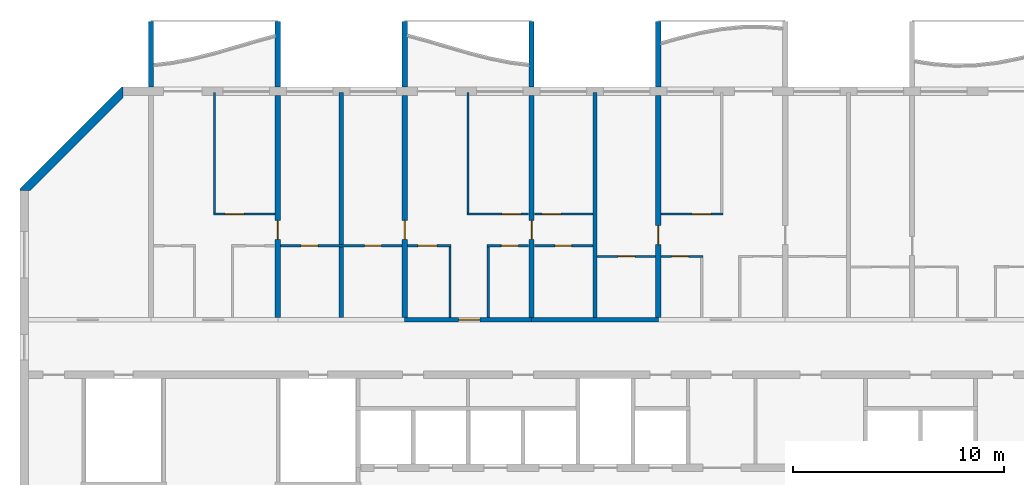
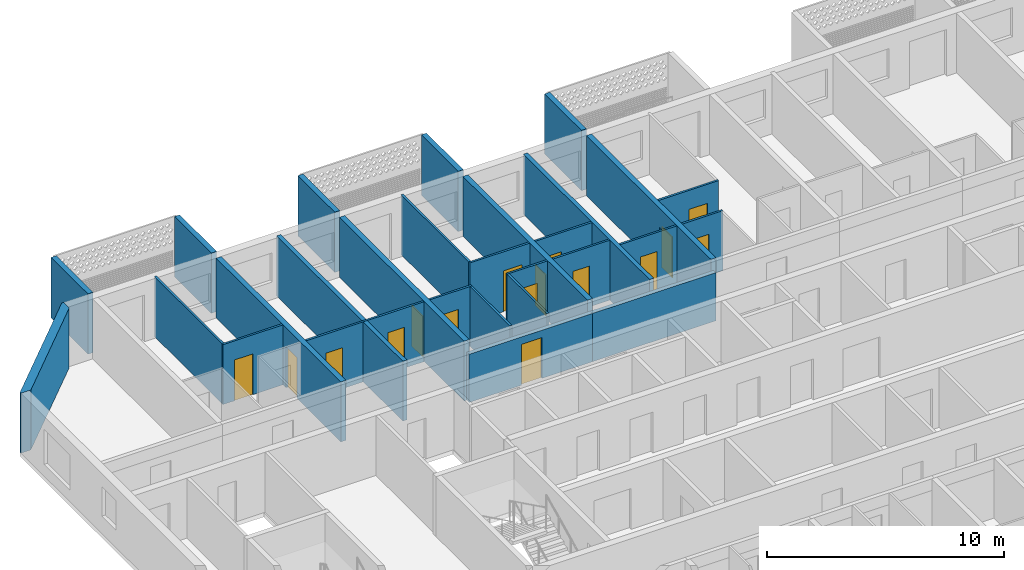
# One storey, part 8 of 26: 28 walls, 16 doors, 16 openings.
"""IFC4 building model written with IfcOpenShell, lengths in metres."""

from ifc_helpers import new_model, si_unit, direction, frame, frame_2d, origin, place, context, subcontext, project, spatial, polyline, rectangle, outline, extrude, source, transform, mapped, material, layer, layer_set, type_object, element, fill, save


model = new_model("IFC4")

# Units and contexts
model_context = context("Model", 3, precision=1e-05, world=origin(), true_north=direction((0.0, 1.0)))
body_context = subcontext(model_context, "Body", "Model", "MODEL_VIEW")
ifc_project = project(units=[si_unit("LENGTHUNIT", "METRE"), si_unit("AREAUNIT", "SQUARE_METRE"), si_unit("VOLUMEUNIT", "CUBIC_METRE"), si_unit("PLANEANGLEUNIT", "RADIAN"), si_unit("MASSUNIT", "GRAM", prefix="KILO")], contexts=[model_context])

# Site, building, storey
site_placement = place(None, origin())
site = spatial("IfcSite", under=ifc_project, at=site_placement, CompositionType="ELEMENT")
building_placement = place(site_placement, origin())
building = spatial("IfcBuilding", under=site, at=building_placement, Name="Poui Terraces", CompositionType="ELEMENT")
storey_placement = place(building_placement, frame((0.0, 0.0, 247.800048828125)))
storey = spatial("IfcBuildingStorey", under=building, at=storey_placement, Name="L69", CompositionType="ELEMENT", Elevation=247.800048828125)

# Wall, opening, door
ifc_material_1 = material(Name="Concrete 50 MPa", Category="concrete")
ifc_layer_1 = layer(ifc_material_1, 0.199951171875)
ifc_layer_set_1 = layer_set([ifc_layer_1], Name="Concrete 50 MPa")
wall_type_1 = type_object("IfcWallType", Name="CORRIDOR WALL 200 50MPa", PredefinedType="SHEAR", material=ifc_layer_set_1)
wall_1_placement = place(storey_placement, frame((36.0, 30.39990234375, 0.0), z_axis=(0.0, 0.0, 1.0), x_axis=(1.0, 0.0, 0.0)))
wall_1 = element("IfcWall", 1, at=wall_1_placement, inside=storey, type_object=wall_type_1, Name="CORRIDOR WALL LINE E BAY 4", PredefinedType="SHEAR", context=body_context, shape_type="SweptSolid", body=[
    extrude(rectangle(XDim=6.0, YDim=0.199951171875, at=frame_2d((3.0, 0.0))), origin(), (0.0, 0.0, 1.0), 2.47998046875),
])
opening_1_placement = place(wall_1_placement, frame((2.550048828125, 0.0, 0.0)))
opening_1 = element("IfcOpeningElement", 2, at=opening_1_placement, cuts=wall_1, Name="Opening FD30S", PredefinedType="OPENING", context=body_context, shape_type="SweptSolid", body=[
    extrude(rectangle(XDim=1.0, YDim=2.10009765625, at=frame_2d((0.5, 1.050048828125))), frame((0.0, 0.10986328125, 0.0), z_axis=(0.0, -1.0, 0.0), x_axis=(1.0, 0.0, 0.0)), (0.0, 0.0, 1.0), 0.219970703125),
])
ifc_material_2 = material(Name="Steel fire door", Category="steel")
door_type_1 = type_object("IfcDoorType", Name="FLAT ENTRANCE DOOR 1000 X 2100", OperationType="NOTDEFINED", PredefinedType="DOOR", material=ifc_material_2)
door_1_placement = place(opening_1_placement, origin())
door_1 = element("IfcDoor", 3, at=door_1_placement, inside=storey, type_object=door_type_1, Name="FLAT ENTRANCE DOOR 037", OperationType="SINGLE_SWING_RIGHT", OverallHeight=2.10009765625, OverallWidth=1.0, PredefinedType="DOOR", context=body_context, shape_type="SweptSolid", body=[
    extrude(rectangle(XDim=1.0, YDim=2.10009765625, at=frame_2d((0.5, 1.050048828125))), frame((0.0, 0.02490234375, 0.0), z_axis=(0.0, -1.0, 0.0), x_axis=(1.0, 0.0, 0.0)), (0.0, 0.0, 1.0), 0.050048828125),
])
fill(opening_1, door_1)

# Wall
wall_2_placement = place(storey_placement, frame((42.0, 30.39990234375, 0.0), z_axis=(0.0, 0.0, 1.0), x_axis=(1.0, 0.0, 0.0)))
element("IfcWall", 4, at=wall_2_placement, inside=storey, type_object=wall_type_1, Name="CORRIDOR WALL LINE E BAY 5", PredefinedType="SHEAR", context=body_context, shape_type="SweptSolid", body=[
    extrude(rectangle(XDim=6.0, YDim=0.199951171875, at=frame_2d((3.0, 0.0))), origin(), (0.0, 0.0, 1.0), 2.47998046875),
])

# Wall, opening, door
ifc_layer_2 = layer(ifc_material_1, 0.25)
ifc_layer_set_2 = layer_set([ifc_layer_2], Name="Concrete 50 MPa")
wall_type_2 = type_object("IfcWallType", Name="CROSS WALL 250 50MPa", PredefinedType="SHEAR", material=ifc_layer_set_2)
wall_3_placement = place(storey_placement, frame((30.0, 30.5, 0.0), z_axis=(0.0, 0.0, 1.0), x_axis=(0.0, 1.0, 0.0)))
wall_3 = element("IfcWall", 5, at=wall_3_placement, inside=storey, type_object=wall_type_2, Name="CROSS WALL LINE 6 NORTH", PredefinedType="SHEAR", context=body_context, shape_type="SweptSolid", body=[
    extrude(rectangle(XDim=10.5, YDim=0.25, at=frame_2d((5.25, 0.0))), origin(), (0.0, 0.0, 1.0), 3.079833984375),
])
opening_2_placement = place(wall_3_placement, frame((3.699951171875, 0.0, 0.0)))
opening_2 = element("IfcOpeningElement", 6, at=opening_2_placement, cuts=wall_3, Name="Opening D90", PredefinedType="OPENING", context=body_context, shape_type="SweptSolid", body=[
    extrude(rectangle(XDim=0.89990234375, YDim=2.10009765625, at=frame_2d((0.449951171875, 1.050048828125))), frame((0.0, 0.135009765625, 0.0), z_axis=(0.0, -1.0, 0.0), x_axis=(1.0, 0.0, 0.0)), (0.0, 0.0, 1.0), 0.27001953125),
])
ifc_material_3 = material(Name="Solid core timber door", Category="wood")
door_type_2 = type_object("IfcDoorType", Name="INTERNAL DOOR 900 X 2100", OperationType="NOTDEFINED", PredefinedType="DOOR", material=ifc_material_3)
door_2_placement = place(opening_2_placement, frame((0.89990234375, 0.0, 0.0), z_axis=(0.0, 0.0, 1.0), x_axis=(-1.0, 0.0, 0.0)))
door_2 = element("IfcDoor", 7, at=door_2_placement, inside=storey, type_object=door_type_2, Name="INTERNAL DOOR 031", OperationType="SINGLE_SWING_RIGHT", OverallHeight=2.10009765625, OverallWidth=0.89990234375, PredefinedType="DOOR", context=body_context, shape_type="SweptSolid", body=[
    extrude(rectangle(XDim=0.89990234375, YDim=2.10009765625, at=frame_2d((0.449951171875, 1.050048828125))), frame((0.0, 0.02490234375, 0.0), z_axis=(0.0, -1.0, 0.0), x_axis=(1.0, 0.0, 0.0)), (0.0, 0.0, 1.0), 0.050048828125),
])
fill(opening_2, door_2)

wall_4_placement = place(storey_placement, frame((36.0, 30.5, 0.0), z_axis=(0.0, 0.0, 1.0), x_axis=(0.0, 1.0, 0.0)))
wall_4 = element("IfcWall", 8, at=wall_4_placement, inside=storey, type_object=wall_type_2, Name="CROSS WALL LINE 7 NORTH", PredefinedType="SHEAR", context=body_context, shape_type="SweptSolid", body=[
    extrude(rectangle(XDim=10.5, YDim=0.25, at=frame_2d((5.25, 0.0))), origin(), (0.0, 0.0, 1.0), 3.079833984375),
])
opening_3_placement = place(wall_4_placement, frame((3.699951171875, 0.0, 0.0)))
opening_3 = element("IfcOpeningElement", 9, at=opening_3_placement, cuts=wall_4, Name="Opening D90", PredefinedType="OPENING", context=body_context, shape_type="SweptSolid", body=[
    extrude(rectangle(XDim=0.89990234375, YDim=2.10009765625, at=frame_2d((0.449951171875, 1.050048828125))), frame((0.0, 0.135009765625, 0.0), z_axis=(0.0, -1.0, 0.0), x_axis=(1.0, 0.0, 0.0)), (0.0, 0.0, 1.0), 0.27001953125),
])
door_3_placement = place(opening_3_placement, origin())
door_3 = element("IfcDoor", 10, at=door_3_placement, inside=storey, type_object=door_type_2, Name="INTERNAL DOOR 035", OperationType="SINGLE_SWING_LEFT", OverallHeight=2.10009765625, OverallWidth=0.89990234375, PredefinedType="DOOR", context=body_context, shape_type="SweptSolid", body=[
    extrude(rectangle(XDim=0.89990234375, YDim=2.10009765625, at=frame_2d((0.449951171875, 1.050048828125))), frame((0.0, 0.02490234375, 0.0), z_axis=(0.0, -1.0, 0.0), x_axis=(1.0, 0.0, 0.0)), (0.0, 0.0, 1.0), 0.050048828125),
])
fill(opening_3, door_3)

wall_5_placement = place(storey_placement, frame((42.0, 30.5, 0.0), z_axis=(0.0, 0.0, 1.0), x_axis=(0.0, 1.0, 0.0)))
wall_5 = element("IfcWall", 11, at=wall_5_placement, inside=storey, type_object=wall_type_2, Name="CROSS WALL LINE 8 NORTH", PredefinedType="SHEAR", context=body_context, shape_type="SweptSolid", body=[
    extrude(rectangle(XDim=10.5, YDim=0.25, at=frame_2d((5.25, 0.0))), origin(), (0.0, 0.0, 1.0), 3.079833984375),
])
opening_4_placement = place(wall_5_placement, frame((3.699951171875, 0.0, 0.0)))
opening_4 = element("IfcOpeningElement", 12, at=opening_4_placement, cuts=wall_5, Name="Opening D90", PredefinedType="OPENING", context=body_context, shape_type="SweptSolid", body=[
    extrude(rectangle(XDim=0.89990234375, YDim=2.10009765625, at=frame_2d((0.449951171875, 1.050048828125))), frame((0.0, 0.135009765625, 0.0), z_axis=(0.0, -1.0, 0.0), x_axis=(1.0, 0.0, 0.0)), (0.0, 0.0, 1.0), 0.27001953125),
])
door_4_placement = place(opening_4_placement, origin())
door_4 = element("IfcDoor", 13, at=door_4_placement, inside=storey, type_object=door_type_2, Name="INTERNAL DOOR 040", OperationType="SINGLE_SWING_LEFT", OverallHeight=2.10009765625, OverallWidth=0.89990234375, PredefinedType="DOOR", context=body_context, shape_type="SweptSolid", body=[
    extrude(rectangle(XDim=0.89990234375, YDim=2.10009765625, at=frame_2d((0.449951171875, 1.050048828125))), frame((0.0, 0.02490234375, 0.0), z_axis=(0.0, -1.0, 0.0), x_axis=(1.0, 0.0, 0.0)), (0.0, 0.0, 1.0), 0.050048828125),
])
fill(opening_4, door_4)

wall_6_placement = place(storey_placement, frame((48.0, 30.5, 0.0), z_axis=(0.0, 0.0, 1.0), x_axis=(0.0, 1.0, 0.0)))
wall_6 = element("IfcWall", 14, at=wall_6_placement, inside=storey, type_object=wall_type_2, Name="CROSS WALL LINE 9 NORTH", PredefinedType="SHEAR", context=body_context, shape_type="SweptSolid", body=[
    extrude(rectangle(XDim=10.5, YDim=0.25, at=frame_2d((5.25, 0.0))), origin(), (0.0, 0.0, 1.0), 3.079833984375),
])
opening_5_placement = place(wall_6_placement, frame((3.449951171875, 0.0, 0.0)))
opening_5 = element("IfcOpeningElement", 15, at=opening_5_placement, cuts=wall_6, Name="Opening D90", PredefinedType="OPENING", context=body_context, shape_type="SweptSolid", body=[
    extrude(rectangle(XDim=0.89990234375, YDim=2.10009765625, at=frame_2d((0.449951171875, 1.050048828125))), frame((0.0, 0.135009765625, 0.0), z_axis=(0.0, -1.0, 0.0), x_axis=(1.0, 0.0, 0.0)), (0.0, 0.0, 1.0), 0.27001953125),
])
door_5_placement = place(opening_5_placement, origin())
door_5 = element("IfcDoor", 16, at=door_5_placement, inside=storey, type_object=door_type_2, Name="INTERNAL DOOR 043", OperationType="SINGLE_SWING_LEFT", OverallHeight=2.10009765625, OverallWidth=0.89990234375, PredefinedType="DOOR", context=body_context, shape_type="SweptSolid", body=[
    extrude(rectangle(XDim=0.89990234375, YDim=2.10009765625, at=frame_2d((0.449951171875, 1.050048828125))), frame((0.0, 0.02490234375, 0.0), z_axis=(0.0, -1.0, 0.0), x_axis=(1.0, 0.0, 0.0)), (0.0, 0.0, 1.0), 0.050048828125),
])
fill(opening_5, door_5)

ifc_material_4 = material(Name="Plasterboard partition")
ifc_layer_3 = layer(ifc_material_4, 0.10009765625)
ifc_layer_set_3 = layer_set([ifc_layer_3], Name="Plasterboard partition")
wall_type_3 = type_object("IfcWallType", Name="FLAT PARTITION 100", PredefinedType="PARTITIONING", material=ifc_layer_set_3)
wall_7_placement = place(storey_placement, frame((45.10009765625, 33.39990234375, 0.0), z_axis=(0.0, 0.0, 1.0), x_axis=(1.0, 0.0, 0.0)))
wall_7 = element("IfcWall", 17, at=wall_7_placement, inside=storey, type_object=wall_type_3, Name="FLAT PARTITION 100", PredefinedType="PARTITIONING", context=body_context, shape_type="SweptSolid", body=[
    extrude(rectangle(XDim=2.764892578125, YDim=0.10009765625, at=frame_2d((1.38232421875, 0.0))), origin(), (0.0, 0.0, 1.0), 3.079833984375),
])
opening_6_placement = place(wall_7_placement, frame((1.0, 0.0, 0.0)))
opening_6 = element("IfcOpeningElement", 18, at=opening_6_placement, cuts=wall_7, Name="Opening D80", PredefinedType="OPENING", context=body_context, shape_type="SweptSolid", body=[
    extrude(rectangle(XDim=0.800048828125, YDim=2.10009765625, at=frame_2d((0.39990234375, 1.050048828125))), frame((0.0, 0.06005859375, 0.0), z_axis=(0.0, -1.0, 0.0), x_axis=(1.0, 0.0, 0.0)), (0.0, 0.0, 1.0), 0.1201171875),
])
door_type_3 = type_object("IfcDoorType", Name="BATHROOM, LAUNDRY AND STORE DOOR 800 X 2100", OperationType="NOTDEFINED", PredefinedType="DOOR", material=ifc_material_3)
door_6_placement = place(opening_6_placement, frame((0.800048828125, 0.0, 0.0), z_axis=(0.0, 0.0, 1.0), x_axis=(-1.0, 0.0, 0.0)))
door_6 = element("IfcDoor", 19, at=door_6_placement, inside=storey, type_object=door_type_3, Name="BATHROOM, LAUNDRY AND STORE DOOR 041", OperationType="SINGLE_SWING_LEFT", OverallHeight=2.10009765625, OverallWidth=0.800048828125, PredefinedType="DOOR", context=body_context, shape_type="SweptSolid", body=[
    extrude(rectangle(XDim=0.800048828125, YDim=2.10009765625, at=frame_2d((0.39990234375, 1.050048828125))), frame((0.0, 0.02490234375, 0.0), z_axis=(0.0, -1.0, 0.0), x_axis=(1.0, 0.0, 0.0)), (0.0, 0.0, 1.0), 0.050048828125),
])
fill(opening_6, door_6)

wall_8_placement = place(storey_placement, frame((48.135009765625, 33.39990234375, 0.0), z_axis=(0.0, 0.0, 1.0), x_axis=(1.0, 0.0, 0.0)))
wall_8 = element("IfcWall", 20, at=wall_8_placement, inside=storey, type_object=wall_type_3, Name="FLAT PARTITION 100", PredefinedType="PARTITIONING", context=body_context, shape_type="SweptSolid", body=[
    extrude(rectangle(XDim=1.965087890625, YDim=0.10009765625, at=frame_2d((0.982421875, 0.0))), origin(), (0.0, 0.0, 1.0), 3.079833984375),
])
opening_7_placement = place(wall_8_placement, frame((0.489990234375, 0.0, 0.0)))
opening_7 = element("IfcOpeningElement", 21, at=opening_7_placement, cuts=wall_8, Name="Opening D80", PredefinedType="OPENING", context=body_context, shape_type="SweptSolid", body=[
    extrude(rectangle(XDim=0.800048828125, YDim=2.10009765625, at=frame_2d((0.39990234375, 1.050048828125))), frame((0.0, 0.06005859375, 0.0), z_axis=(0.0, -1.0, 0.0), x_axis=(1.0, 0.0, 0.0)), (0.0, 0.0, 1.0), 0.1201171875),
])
door_7_placement = place(opening_7_placement, frame((0.800048828125, 0.0, 0.0), z_axis=(0.0, 0.0, 1.0), x_axis=(-1.0, 0.0, 0.0)))
door_7 = element("IfcDoor", 22, at=door_7_placement, inside=storey, type_object=door_type_3, Name="BATHROOM, LAUNDRY AND STORE DOOR 044", OperationType="SINGLE_SWING_LEFT", OverallHeight=2.10009765625, OverallWidth=0.800048828125, PredefinedType="DOOR", context=body_context, shape_type="SweptSolid", body=[
    extrude(rectangle(XDim=0.800048828125, YDim=2.10009765625, at=frame_2d((0.39990234375, 1.050048828125))), frame((0.0, 0.02490234375, 0.0), z_axis=(0.0, -1.0, 0.0), x_axis=(1.0, 0.0, 0.0)), (0.0, 0.0, 1.0), 0.050048828125),
])
fill(opening_7, door_7)

# Wall, openings, doors
wall_9_placement = place(storey_placement, frame((30.135009765625, 33.89990234375, 0.0), z_axis=(0.0, 0.0, 1.0), x_axis=(1.0, 0.0, 0.0)))
wall_9 = element("IfcWall", 23, at=wall_9_placement, inside=storey, type_object=wall_type_3, Name="FLAT PARTITION 100", PredefinedType="PARTITIONING", context=body_context, shape_type="SweptSolid", body=[
    extrude(rectangle(XDim=5.72998046875, YDim=0.10009765625, at=frame_2d((2.864990234375, 0.0))), origin(), (0.0, 0.0, 1.0), 3.079833984375),
])
opening_8_placement = place(wall_9_placement, frame((0.965087890625, 0.0, 0.0)))
opening_8 = element("IfcOpeningElement", 24, at=opening_8_placement, cuts=wall_9, Name="Opening D80", PredefinedType="OPENING", context=body_context, shape_type="SweptSolid", body=[
    extrude(rectangle(XDim=0.800048828125, YDim=2.10009765625, at=frame_2d((0.39990234375, 1.050048828125))), frame((0.0, 0.06005859375, 0.0), z_axis=(0.0, -1.0, 0.0), x_axis=(1.0, 0.0, 0.0)), (0.0, 0.0, 1.0), 0.1201171875),
])
opening_9_placement = place(wall_9_placement, frame((3.965087890625, 0.0, 0.0)))
opening_9 = element("IfcOpeningElement", 25, at=opening_9_placement, cuts=wall_9, Name="Opening D80", PredefinedType="OPENING", context=body_context, shape_type="SweptSolid", body=[
    extrude(rectangle(XDim=0.800048828125, YDim=2.10009765625, at=frame_2d((0.39990234375, 1.050048828125))), frame((0.0, 0.06005859375, 0.0), z_axis=(0.0, -1.0, 0.0), x_axis=(1.0, 0.0, 0.0)), (0.0, 0.0, 1.0), 0.1201171875),
])
door_8_placement = place(opening_8_placement, frame((0.800048828125, 0.0, 0.0), z_axis=(0.0, 0.0, 1.0), x_axis=(-1.0, 0.0, 0.0)))
door_8 = element("IfcDoor", 26, at=door_8_placement, inside=storey, type_object=door_type_3, Name="BATHROOM, LAUNDRY AND STORE DOOR 026", OperationType="SINGLE_SWING_LEFT", OverallHeight=2.10009765625, OverallWidth=0.800048828125, PredefinedType="DOOR", context=body_context, shape_type="SweptSolid", body=[
    extrude(rectangle(XDim=0.800048828125, YDim=2.10009765625, at=frame_2d((0.39990234375, 1.050048828125))), frame((0.0, 0.02490234375, 0.0), z_axis=(0.0, -1.0, 0.0), x_axis=(1.0, 0.0, 0.0)), (0.0, 0.0, 1.0), 0.050048828125),
])
fill(opening_8, door_8)
door_9_placement = place(opening_9_placement, frame((0.800048828125, 0.0, 0.0), z_axis=(0.0, 0.0, 1.0), x_axis=(-1.0, 0.0, 0.0)))
door_9 = element("IfcDoor", 27, at=door_9_placement, inside=storey, type_object=door_type_3, Name="BATHROOM, LAUNDRY AND STORE DOOR 032", OperationType="SINGLE_SWING_RIGHT", OverallHeight=2.10009765625, OverallWidth=0.800048828125, PredefinedType="DOOR", context=body_context, shape_type="SweptSolid", body=[
    extrude(rectangle(XDim=0.800048828125, YDim=2.10009765625, at=frame_2d((0.39990234375, 1.050048828125))), frame((0.0, 0.02490234375, 0.0), z_axis=(0.0, -1.0, 0.0), x_axis=(1.0, 0.0, 0.0)), (0.0, 0.0, 1.0), 0.050048828125),
])
fill(opening_9, door_9)

# Wall, opening, door
wall_10_placement = place(storey_placement, frame((36.135009765625, 33.89990234375, 0.0), z_axis=(0.0, 0.0, 1.0), x_axis=(1.0, 0.0, 0.0)))
wall_10 = element("IfcWall", 28, at=wall_10_placement, inside=storey, type_object=wall_type_3, Name="FLAT PARTITION 100", PredefinedType="PARTITIONING", context=body_context, shape_type="SweptSolid", body=[
    extrude(rectangle(XDim=2.06494140625, YDim=0.10009765625, at=frame_2d((1.032470703125, 0.0))), origin(), (0.0, 0.0, 1.0), 3.079833984375),
])
opening_10_placement = place(wall_10_placement, frame((0.489990234375, 0.0, 0.0)))
opening_10 = element("IfcOpeningElement", 29, at=opening_10_placement, cuts=wall_10, Name="Opening D90", PredefinedType="OPENING", context=body_context, shape_type="SweptSolid", body=[
    extrude(rectangle(XDim=0.89990234375, YDim=2.10009765625, at=frame_2d((0.449951171875, 1.050048828125))), frame((0.0, 0.06005859375, 0.0), z_axis=(0.0, -1.0, 0.0), x_axis=(1.0, 0.0, 0.0)), (0.0, 0.0, 1.0), 0.1201171875),
])
door_10_placement = place(opening_10_placement, frame((0.89990234375, 0.0, 0.0), z_axis=(0.0, 0.0, 1.0), x_axis=(-1.0, 0.0, 0.0)))
door_10 = element("IfcDoor", 30, at=door_10_placement, inside=storey, type_object=door_type_2, Name="INTERNAL DOOR 036", OperationType="SINGLE_SWING_RIGHT", OverallHeight=2.10009765625, OverallWidth=0.89990234375, PredefinedType="DOOR", context=body_context, shape_type="SweptSolid", body=[
    extrude(rectangle(XDim=0.89990234375, YDim=2.10009765625, at=frame_2d((0.449951171875, 1.050048828125))), frame((0.0, 0.02490234375, 0.0), z_axis=(0.0, -1.0, 0.0), x_axis=(1.0, 0.0, 0.0)), (0.0, 0.0, 1.0), 0.050048828125),
])
fill(opening_10, door_10)

wall_11_placement = place(storey_placement, frame((39.89990234375, 33.89990234375, 0.0), z_axis=(0.0, 0.0, 1.0), x_axis=(1.0, 0.0, 0.0)))
wall_11 = element("IfcWall", 31, at=wall_11_placement, inside=storey, type_object=wall_type_3, Name="FLAT PARTITION 100", PredefinedType="PARTITIONING", context=body_context, shape_type="SweptSolid", body=[
    extrude(rectangle(XDim=1.965087890625, YDim=0.10009765625, at=frame_2d((0.982421875, 0.0))), origin(), (0.0, 0.0, 1.0), 3.079833984375),
])
opening_11_placement = place(wall_11_placement, frame((0.675048828125, 0.0, 0.0)))
opening_11 = element("IfcOpeningElement", 32, at=opening_11_placement, cuts=wall_11, Name="Opening D80", PredefinedType="OPENING", context=body_context, shape_type="SweptSolid", body=[
    extrude(rectangle(XDim=0.800048828125, YDim=2.10009765625, at=frame_2d((0.39990234375, 1.050048828125))), frame((0.0, 0.06005859375, 0.0), z_axis=(0.0, -1.0, 0.0), x_axis=(1.0, 0.0, 0.0)), (0.0, 0.0, 1.0), 0.1201171875),
])
door_11_placement = place(opening_11_placement, frame((0.800048828125, 0.0, 0.0), z_axis=(0.0, 0.0, 1.0), x_axis=(-1.0, 0.0, 0.0)))
door_11 = element("IfcDoor", 33, at=door_11_placement, inside=storey, type_object=door_type_3, Name="BATHROOM, LAUNDRY AND STORE DOOR 038", OperationType="SINGLE_SWING_LEFT", OverallHeight=2.10009765625, OverallWidth=0.800048828125, PredefinedType="DOOR", context=body_context, shape_type="SweptSolid", body=[
    extrude(rectangle(XDim=0.800048828125, YDim=2.10009765625, at=frame_2d((0.39990234375, 1.050048828125))), frame((0.0, 0.02490234375, 0.0), z_axis=(0.0, -1.0, 0.0), x_axis=(1.0, 0.0, 0.0)), (0.0, 0.0, 1.0), 0.050048828125),
])
fill(opening_11, door_11)

wall_12_placement = place(storey_placement, frame((42.135009765625, 33.89990234375, 0.0), z_axis=(0.0, 0.0, 1.0), x_axis=(1.0, 0.0, 0.0)))
wall_12 = element("IfcWall", 34, at=wall_12_placement, inside=storey, type_object=wall_type_3, Name="FLAT PARTITION 100", PredefinedType="PARTITIONING", context=body_context, shape_type="SweptSolid", body=[
    extrude(rectangle(XDim=2.764892578125, YDim=0.10009765625, at=frame_2d((1.38232421875, 0.0))), origin(), (0.0, 0.0, 1.0), 3.079833984375),
])
opening_12_placement = place(wall_12_placement, frame((0.965087890625, 0.0, 0.0)))
opening_12 = element("IfcOpeningElement", 35, at=opening_12_placement, cuts=wall_12, Name="Opening D80", PredefinedType="OPENING", context=body_context, shape_type="SweptSolid", body=[
    extrude(rectangle(XDim=0.800048828125, YDim=2.10009765625, at=frame_2d((0.39990234375, 1.050048828125))), frame((0.0, 0.06005859375, 0.0), z_axis=(0.0, -1.0, 0.0), x_axis=(1.0, 0.0, 0.0)), (0.0, 0.0, 1.0), 0.1201171875),
])
door_12_placement = place(opening_12_placement, frame((0.800048828125, 0.0, 0.0), z_axis=(0.0, 0.0, 1.0), x_axis=(-1.0, 0.0, 0.0)))
door_12 = element("IfcDoor", 36, at=door_12_placement, inside=storey, type_object=door_type_3, Name="BATHROOM, LAUNDRY AND STORE DOOR 034", OperationType="SINGLE_SWING_LEFT", OverallHeight=2.10009765625, OverallWidth=0.800048828125, PredefinedType="DOOR", context=body_context, shape_type="SweptSolid", body=[
    extrude(rectangle(XDim=0.800048828125, YDim=2.10009765625, at=frame_2d((0.39990234375, 1.050048828125))), frame((0.0, 0.02490234375, 0.0), z_axis=(0.0, -1.0, 0.0), x_axis=(1.0, 0.0, 0.0)), (0.0, 0.0, 1.0), 0.050048828125),
])
fill(opening_12, door_12)

wall_13_placement = place(storey_placement, frame((26.949951171875, 35.39990234375, 0.0), z_axis=(0.0, 0.0, 1.0), x_axis=(1.0, 0.0, 0.0)))
wall_13 = element("IfcWall", 37, at=wall_13_placement, inside=storey, type_object=wall_type_3, Name="FLAT PARTITION 100", PredefinedType="PARTITIONING", context=body_context, shape_type="SweptSolid", body=[
    extrude(rectangle(XDim=2.9150390625, YDim=0.10009765625, at=frame_2d((1.45751953125, 0.0))), origin(), (0.0, 0.0, 1.0), 3.079833984375),
])
opening_13_placement = place(wall_13_placement, frame((0.550048828125, 0.0, 0.0)))
opening_13 = element("IfcOpeningElement", 38, at=opening_13_placement, cuts=wall_13, Name="Opening D90", PredefinedType="OPENING", context=body_context, shape_type="SweptSolid", body=[
    extrude(rectangle(XDim=0.89990234375, YDim=2.10009765625, at=frame_2d((0.449951171875, 1.050048828125))), frame((0.0, 0.06005859375, 0.0), z_axis=(0.0, -1.0, 0.0), x_axis=(1.0, 0.0, 0.0)), (0.0, 0.0, 1.0), 0.1201171875),
])
door_13_placement = place(opening_13_placement, frame((0.89990234375, 0.0, 0.0), z_axis=(0.0, 0.0, 1.0), x_axis=(-1.0, 0.0, 0.0)))
door_13 = element("IfcDoor", 39, at=door_13_placement, inside=storey, type_object=door_type_2, Name="INTERNAL DOOR 029", OperationType="SINGLE_SWING_LEFT", OverallHeight=2.10009765625, OverallWidth=0.89990234375, PredefinedType="DOOR", context=body_context, shape_type="SweptSolid", body=[
    extrude(rectangle(XDim=0.89990234375, YDim=2.10009765625, at=frame_2d((0.449951171875, 1.050048828125))), frame((0.0, 0.02490234375, 0.0), z_axis=(0.0, -1.0, 0.0), x_axis=(1.0, 0.0, 0.0)), (0.0, 0.0, 1.0), 0.050048828125),
])
fill(opening_13, door_13)

wall_14_placement = place(storey_placement, frame((38.949951171875, 35.39990234375, 0.0), z_axis=(0.0, 0.0, 1.0), x_axis=(1.0, 0.0, 0.0)))
wall_14 = element("IfcWall", 40, at=wall_14_placement, inside=storey, type_object=wall_type_3, Name="FLAT PARTITION 100", PredefinedType="PARTITIONING", context=body_context, shape_type="SweptSolid", body=[
    extrude(rectangle(XDim=2.9150390625, YDim=0.10009765625, at=frame_2d((1.45751953125, 0.0))), origin(), (0.0, 0.0, 1.0), 3.079833984375),
])
opening_14_placement = place(wall_14_placement, frame((1.64990234375, 0.0, 0.0)))
opening_14 = element("IfcOpeningElement", 41, at=opening_14_placement, cuts=wall_14, Name="Opening D90", PredefinedType="OPENING", context=body_context, shape_type="SweptSolid", body=[
    extrude(rectangle(XDim=0.89990234375, YDim=2.10009765625, at=frame_2d((0.449951171875, 1.050048828125))), frame((0.0, 0.06005859375, 0.0), z_axis=(0.0, -1.0, 0.0), x_axis=(1.0, 0.0, 0.0)), (0.0, 0.0, 1.0), 0.1201171875),
])
door_14_placement = place(opening_14_placement, frame((0.89990234375, 0.0, 0.0), z_axis=(0.0, 0.0, 1.0), x_axis=(-1.0, 0.0, 0.0)))
door_14 = element("IfcDoor", 42, at=door_14_placement, inside=storey, type_object=door_type_2, Name="INTERNAL DOOR 039", OperationType="SINGLE_SWING_RIGHT", OverallHeight=2.10009765625, OverallWidth=0.89990234375, PredefinedType="DOOR", context=body_context, shape_type="SweptSolid", body=[
    extrude(rectangle(XDim=0.89990234375, YDim=2.10009765625, at=frame_2d((0.449951171875, 1.050048828125))), frame((0.0, 0.02490234375, 0.0), z_axis=(0.0, -1.0, 0.0), x_axis=(1.0, 0.0, 0.0)), (0.0, 0.0, 1.0), 0.050048828125),
])
fill(opening_14, door_14)

wall_15_placement = place(storey_placement, frame((42.135009765625, 35.39990234375, 0.0), z_axis=(0.0, 0.0, 1.0), x_axis=(1.0, 0.0, 0.0)))
wall_15 = element("IfcWall", 43, at=wall_15_placement, inside=storey, type_object=wall_type_3, Name="FLAT PARTITION 100", PredefinedType="PARTITIONING", context=body_context, shape_type="SweptSolid", body=[
    extrude(rectangle(XDim=2.764892578125, YDim=0.10009765625, at=frame_2d((1.38232421875, 0.0))), origin(), (0.0, 0.0, 1.0), 3.079833984375),
])
opening_15_placement = place(wall_15_placement, frame((0.364990234375, 0.0, 0.0)))
opening_15 = element("IfcOpeningElement", 44, at=opening_15_placement, cuts=wall_15, Name="Opening D90", PredefinedType="OPENING", context=body_context, shape_type="SweptSolid", body=[
    extrude(rectangle(XDim=0.89990234375, YDim=2.10009765625, at=frame_2d((0.449951171875, 1.050048828125))), frame((0.0, 0.06005859375, 0.0), z_axis=(0.0, -1.0, 0.0), x_axis=(1.0, 0.0, 0.0)), (0.0, 0.0, 1.0), 0.1201171875),
])
door_15_placement = place(opening_15_placement, origin())
door_15 = element("IfcDoor", 45, at=door_15_placement, inside=storey, type_object=door_type_2, Name="INTERNAL DOOR 033", OperationType="SINGLE_SWING_LEFT", OverallHeight=2.10009765625, OverallWidth=0.89990234375, PredefinedType="DOOR", context=body_context, shape_type="SweptSolid", body=[
    extrude(rectangle(XDim=0.89990234375, YDim=2.10009765625, at=frame_2d((0.449951171875, 1.050048828125))), frame((0.0, 0.02490234375, 0.0), z_axis=(0.0, -1.0, 0.0), x_axis=(1.0, 0.0, 0.0)), (0.0, 0.0, 1.0), 0.050048828125),
])
fill(opening_15, door_15)

wall_16_placement = place(storey_placement, frame((48.135009765625, 35.39990234375, 0.0), z_axis=(0.0, 0.0, 1.0), x_axis=(1.0, 0.0, 0.0)))
wall_16 = element("IfcWall", 46, at=wall_16_placement, inside=storey, type_object=wall_type_3, Name="FLAT PARTITION 100", PredefinedType="PARTITIONING", context=body_context, shape_type="SweptSolid", body=[
    extrude(rectangle(XDim=2.9150390625, YDim=0.10009765625, at=frame_2d((1.45751953125, 0.0))), origin(), (0.0, 0.0, 1.0), 3.079833984375),
])
opening_16_placement = place(wall_16_placement, frame((1.465087890625, 0.0, 0.0)))
opening_16 = element("IfcOpeningElement", 47, at=opening_16_placement, cuts=wall_16, Name="Opening D90", PredefinedType="OPENING", context=body_context, shape_type="SweptSolid", body=[
    extrude(rectangle(XDim=0.89990234375, YDim=2.10009765625, at=frame_2d((0.449951171875, 1.050048828125))), frame((0.0, 0.06005859375, 0.0), z_axis=(0.0, -1.0, 0.0), x_axis=(1.0, 0.0, 0.0)), (0.0, 0.0, 1.0), 0.1201171875),
])
door_16_placement = place(opening_16_placement, frame((0.89990234375, 0.0, 0.0), z_axis=(0.0, 0.0, 1.0), x_axis=(-1.0, 0.0, 0.0)))
door_16 = element("IfcDoor", 48, at=door_16_placement, inside=storey, type_object=door_type_2, Name="INTERNAL DOOR 045", OperationType="SINGLE_SWING_RIGHT", OverallHeight=2.10009765625, OverallWidth=0.89990234375, PredefinedType="DOOR", context=body_context, shape_type="SweptSolid", body=[
    extrude(rectangle(XDim=0.89990234375, YDim=2.10009765625, at=frame_2d((0.449951171875, 1.050048828125))), frame((0.0, 0.02490234375, 0.0), z_axis=(0.0, -1.0, 0.0), x_axis=(1.0, 0.0, 0.0)), (0.0, 0.0, 1.0), 0.050048828125),
])
fill(opening_16, door_16)

# Walls
wall_17_placement = place(storey_placement, frame((27.0, 35.449951171875, 0.0), z_axis=(0.0, 0.0, 1.0), x_axis=(0.0, 1.0, 0.0)))
element("IfcWall", 49, at=wall_17_placement, inside=storey, type_object=wall_type_3, Name="FLAT PARTITION 100", PredefinedType="PARTITIONING", context=body_context, shape_type="SweptSolid", body=[
    extrude(rectangle(XDim=5.68994140625, YDim=0.10009765625, at=frame_2d((2.844970703125, 0.0))), origin(), (0.0, 0.0, 1.0), 3.079833984375),
])
wall_18_placement = place(storey_placement, frame((38.14990234375, 30.510009765625, 0.0), z_axis=(0.0, 0.0, 1.0), x_axis=(0.0, 1.0, 0.0)))
element("IfcWall", 50, at=wall_18_placement, inside=storey, type_object=wall_type_3, Name="FLAT PARTITION 100", PredefinedType="PARTITIONING", context=body_context, shape_type="SweptSolid", body=[
    extrude(rectangle(XDim=3.340087890625, YDim=0.10009765625, at=frame_2d((1.669921875, 0.0))), origin(), (0.0, 0.0, 1.0), 3.079833984375),
])
wall_19_placement = place(storey_placement, frame((39.0, 35.449951171875, 0.0), z_axis=(0.0, 0.0, 1.0), x_axis=(0.0, 1.0, 0.0)))
element("IfcWall", 51, at=wall_19_placement, inside=storey, type_object=wall_type_3, Name="FLAT PARTITION 100", PredefinedType="PARTITIONING", context=body_context, shape_type="SweptSolid", body=[
    extrude(rectangle(XDim=5.68994140625, YDim=0.10009765625, at=frame_2d((2.844970703125, 0.0))), origin(), (0.0, 0.0, 1.0), 3.079833984375),
])
wall_20_placement = place(storey_placement, frame((39.949951171875, 30.510009765625, 0.0), z_axis=(0.0, 0.0, 1.0), x_axis=(0.0, 1.0, 0.0)))
element("IfcWall", 52, at=wall_20_placement, inside=storey, type_object=wall_type_3, Name="FLAT PARTITION 100", PredefinedType="PARTITIONING", context=body_context, shape_type="SweptSolid", body=[
    extrude(rectangle(XDim=3.340087890625, YDim=0.10009765625, at=frame_2d((1.669921875, 0.0))), origin(), (0.0, 0.0, 1.0), 3.079833984375),
])
ifc_material_5 = material(Name="Fire-rated masonry wall", Category="masonry")
ifc_layer_4 = layer(ifc_material_5, 0.199951171875)
ifc_layer_set_4 = layer_set([ifc_layer_4], Name="Fire-rated masonry wall")
wall_type_4 = type_object("IfcWallType", Name="FLAT PARTY WALL 200", PredefinedType="PARTITIONING", material=ifc_layer_set_4)
for number, where, z_axis, x_axis, name in (
    (53, (33.0, 30.510009765625, 0.0), (0.0, 0.0, 1.0), (0.0, 1.0, 0.0), "FLAT PARTY WALL 200"),
    (54, (45.0, 30.510009765625, 0.0), (0.0, 0.0, 1.0), (0.0, 1.0, 0.0), "FLAT PARTY WALL 200"),
):
    element("IfcWall", number, at=place(storey_placement, frame(where, z_axis=z_axis, x_axis=x_axis)), inside=storey, type_object=wall_type_4, Name=name, PredefinedType="PARTITIONING", context=body_context, shape_type="SweptSolid", body=[
        extrude(rectangle(XDim=10.6298828125, YDim=0.199951171875, at=frame_2d((5.31494140625, 0.0))), origin(), (0.0, 0.0, 1.0), 3.079833984375),
    ])
ifc_material_6 = material(Name="Precast concrete 40 MPa", Category="concrete")
ifc_layer_5 = layer(ifc_material_6, 0.39990234375)
ifc_layer_set_5 = layer_set([ifc_layer_5], Name="Precast concrete 40 MPa")
wall_type_5 = type_object("IfcWallType", Name="TERRACOTTA CLAD CHAMFER WALL 400", PredefinedType="STANDARD", material=ifc_layer_set_5)
wall_21_placement = place(storey_placement, origin())
element("IfcWall", 55, at=wall_21_placement, inside=storey, type_object=wall_type_5, Name="CHAMFER WALL CH05", PredefinedType="STANDARD", context=body_context, shape_type="SweptSolid", body=[
    extrude(outline(polyline([(22.682861328125, 41.39990234375), (22.60009765625, 41.39990234375), (17.800048828125, 36.60009765625), (17.800048828125, 36.51708984375), (18.28271484375, 36.51708984375), (22.682861328125, 40.917236328125), (22.682861328125, 41.39990234375)])), origin(), (0.0, 0.0, 1.0), 3.079833984375),
])
ifc_layer_6 = layer(ifc_material_6, 0.25)
ifc_layer_set_6 = layer_set([ifc_layer_6], Name="Precast concrete 40 MPa")
wall_type_6 = type_object("IfcWallType", Name="BALCONY FIN 250", PredefinedType="STANDARD", material=ifc_layer_set_6)
shared_shape = source(origin(), body_context, "Body", "SweptSolid", [
    extrude(outline(polyline([(0.0, 0.0), (0.25, 0.0), (0.25, 3.10009765625), (0.0, 3.10009765625), (0.0, 0.0)])), origin(), (0.0, 0.0, 1.0), 3.099853515625),
])
for number, where, name in (
    (56, (23.875, 41.39990234375, 0.0), "BALCONY FIN"),
    (57, (29.875, 41.39990234375, 0.0), "BALCONY FIN"),
    (58, (35.875, 41.39990234375, 0.0), "BALCONY FIN"),
    (59, (41.875, 41.39990234375, 0.0), "BALCONY FIN"),
    (60, (47.875, 41.39990234375, 0.0), "BALCONY FIN"),
):
    element("IfcWall", number, at=place(storey_placement, frame(where)), inside=storey, type_object=wall_type_6, Name=name, PredefinedType="STANDARD", context=body_context, shape_type="MappedRepresentation", body=[
        mapped(shared_shape, transform((0.0, 0.0, 0.0))),
    ])

save(model, "model.ifc")
